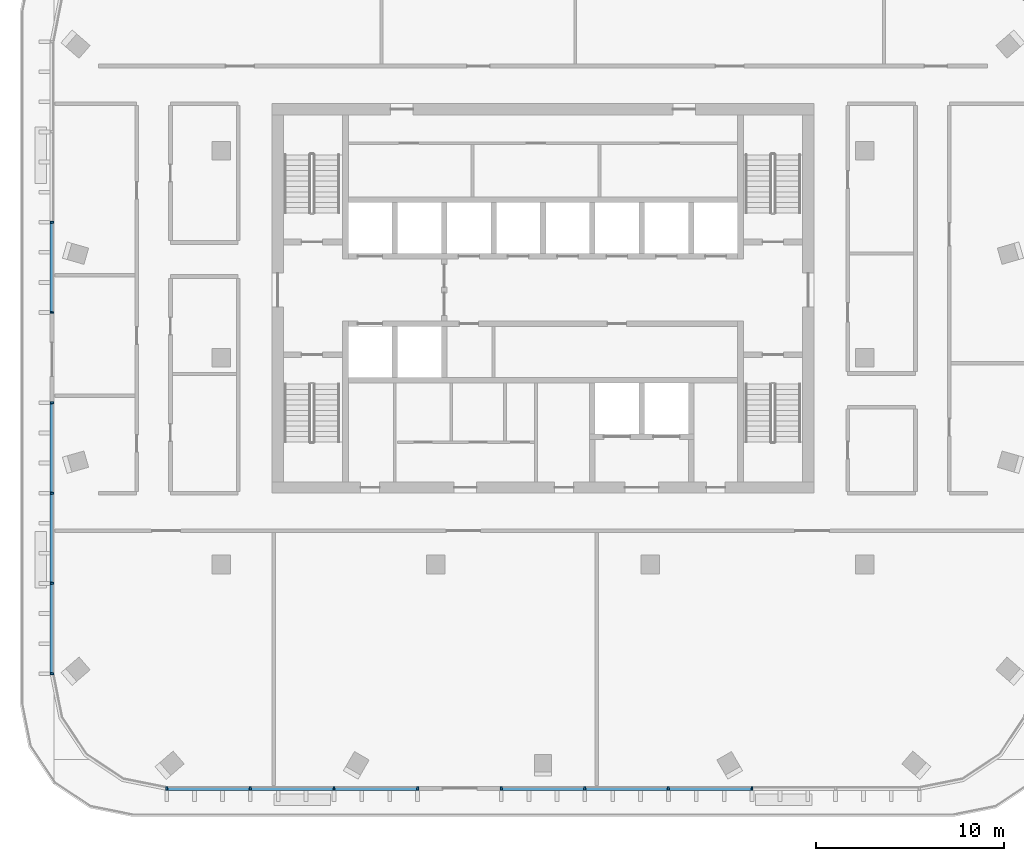
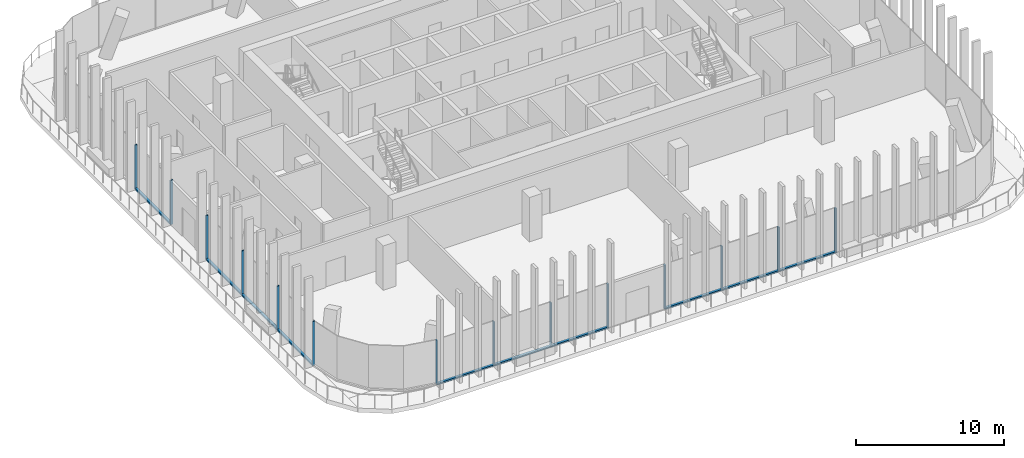
# One storey, part 2 of 15: 24 members, 4 elements without a shape of their own.
"""IFC4 building model written with IfcOpenShell, lengths in metres."""

from ifc_helpers import new_model, si_unit, direction, frame, origin, origin_2d, place, context, subcontext, project, spatial, rectangle, extrude, material, material_profile, profile_set, type_object, element, aggregate, save


model = new_model("IFC4")

# Units and contexts
model_context = context("Model", 3, precision=1e-05, world=origin(), true_north=direction((0.0, 1.0)))
body_context = subcontext(model_context, "Body", "Model", "MODEL_VIEW")
ifc_project = project(units=[si_unit("LENGTHUNIT", "METRE"), si_unit("AREAUNIT", "SQUARE_METRE"), si_unit("VOLUMEUNIT", "CUBIC_METRE"), si_unit("PLANEANGLEUNIT", "RADIAN"), si_unit("MASSUNIT", "GRAM", prefix="KILO")], contexts=[model_context])

# Site, building, storey
site_placement = place(None, origin())
site = spatial("IfcSite", under=ifc_project, at=site_placement, CompositionType="ELEMENT")
building_placement = place(site_placement, origin())
building = spatial("IfcBuilding", under=site, at=building_placement, Name="Mopane Tessera Tower", CompositionType="ELEMENT")
storey_placement = place(building_placement, frame((0.0, 0.0, 329.39990234375)))
storey = spatial("IfcBuildingStorey", under=building, at=storey_placement, Name="L72", CompositionType="ELEMENT", Elevation=329.39990234375)

# Curtain wall, members
ifc_material_1 = material(Name="Aluminium frame", Category="aluminium")
curtain_wall_type = type_object("IfcCurtainWallType", Name="Unitised curtain wall", PredefinedType="NOTDEFINED", material=ifc_material_1)
curtain_wall_1_placement = place(storey_placement, origin())
curtain_wall_1 = element("IfcCurtainWall", 1, at=curtain_wall_1_placement, inside=storey, type_object=curtain_wall_type, Name="e:cw:L72:S:0", PredefinedType="NOTDEFINED")
ifc_material_2 = material(Name="Aluminium frame", Category="aluminium")
ifc_material_profile_1 = material_profile(ifc_material_2, rectangle(XDim=0.10009765625, YDim=0.199951171875, at=origin_2d()))
ifc_profile_set_1 = profile_set([ifc_material_profile_1], Name="Aluminium frame")
member_type_1 = type_object("IfcMemberType", Name="Aluminium mullion 100 x 200", PredefinedType="MULLION", material=ifc_profile_set_1)
member_1_placement = place(storey_placement, frame((-20.0, -22.89990234375, 0.0), z_axis=(0.0, 0.0, 1.0), x_axis=(1.0, 0.0, 0.0)))
member_1 = element("IfcMember", 2, at=member_1_placement, type_object=member_type_1, Name="e:cw:L72:S:0:mu0", PredefinedType="MULLION", context=body_context, shape_type="SweptSolid", body=[
    extrude(rectangle(XDim=0.10009765625, YDim=0.199951171875, at=origin_2d()), origin(), (0.0, 0.0, 1.0), 3.650146484375),
])
member_2_placement = place(storey_placement, frame((-15.5556640625, -22.89990234375, 0.0), z_axis=(0.0, 0.0, 1.0), x_axis=(1.0, 0.0, 0.0)))
member_2 = element("IfcMember", 3, at=member_2_placement, type_object=member_type_1, Name="e:cw:L72:S:0:mu1", PredefinedType="MULLION", context=body_context, shape_type="SweptSolid", body=[
    extrude(rectangle(XDim=0.10009765625, YDim=0.199951171875, at=origin_2d()), origin(), (0.0, 0.0, 1.0), 3.650146484375),
])
member_3_placement = place(storey_placement, frame((-11.111083984375, -22.89990234375, 0.0), z_axis=(0.0, 0.0, 1.0), x_axis=(1.0, 0.0, 0.0)))
member_3 = element("IfcMember", 4, at=member_3_placement, type_object=member_type_1, Name="e:cw:L72:S:0:mu2", PredefinedType="MULLION", context=body_context, shape_type="SweptSolid", body=[
    extrude(rectangle(XDim=0.10009765625, YDim=0.199951171875, at=origin_2d()), origin(), (0.0, 0.0, 1.0), 3.650146484375),
])
member_4_placement = place(storey_placement, frame((-6.666748046875, -22.89990234375, 0.0), z_axis=(0.0, 0.0, 1.0), x_axis=(1.0, 0.0, 0.0)))
member_4 = element("IfcMember", 5, at=member_4_placement, type_object=member_type_1, Name="e:cw:L72:S:0:mu3", PredefinedType="MULLION", context=body_context, shape_type="SweptSolid", body=[
    extrude(rectangle(XDim=0.10009765625, YDim=0.199951171875, at=origin_2d()), origin(), (0.0, 0.0, 1.0), 3.650146484375),
])

curtain_wall_2_placement = place(storey_placement, origin())
curtain_wall_2 = element("IfcCurtainWall", 6, at=curtain_wall_2_placement, inside=storey, type_object=curtain_wall_type, Name="e:cw:L72:S:4", PredefinedType="NOTDEFINED")
member_5_placement = place(storey_placement, frame((-2.22216796875, -22.89990234375, 0.0), z_axis=(0.0, 0.0, 1.0), x_axis=(1.0, 0.0, 0.0)))
member_5 = element("IfcMember", 7, at=member_5_placement, type_object=member_type_1, Name="e:cw:L72:S:4:mu4", PredefinedType="MULLION", context=body_context, shape_type="SweptSolid", body=[
    extrude(rectangle(XDim=0.10009765625, YDim=0.199951171875, at=origin_2d()), origin(), (0.0, 0.0, 1.0), 3.650146484375),
])
member_6_placement = place(storey_placement, frame((2.22216796875, -22.89990234375, 0.0), z_axis=(0.0, 0.0, 1.0), x_axis=(1.0, 0.0, 0.0)))
member_6 = element("IfcMember", 8, at=member_6_placement, type_object=member_type_1, Name="e:cw:L72:S:4:mu5", PredefinedType="MULLION", context=body_context, shape_type="SweptSolid", body=[
    extrude(rectangle(XDim=0.10009765625, YDim=0.199951171875, at=origin_2d()), origin(), (0.0, 0.0, 1.0), 3.650146484375),
])
member_7_placement = place(storey_placement, frame((6.666748046875, -22.89990234375, 0.0), z_axis=(0.0, 0.0, 1.0), x_axis=(1.0, 0.0, 0.0)))
member_7 = element("IfcMember", 9, at=member_7_placement, type_object=member_type_1, Name="e:cw:L72:S:4:mu6", PredefinedType="MULLION", context=body_context, shape_type="SweptSolid", body=[
    extrude(rectangle(XDim=0.10009765625, YDim=0.199951171875, at=origin_2d()), origin(), (0.0, 0.0, 1.0), 3.650146484375),
])
member_8_placement = place(storey_placement, frame((11.111083984375, -22.89990234375, 0.0), z_axis=(0.0, 0.0, 1.0), x_axis=(1.0, 0.0, 0.0)))
member_8 = element("IfcMember", 10, at=member_8_placement, type_object=member_type_1, Name="e:cw:L72:S:4:mu7", PredefinedType="MULLION", context=body_context, shape_type="SweptSolid", body=[
    extrude(rectangle(XDim=0.10009765625, YDim=0.199951171875, at=origin_2d()), origin(), (0.0, 0.0, 1.0), 3.650146484375),
])

curtain_wall_3_placement = place(storey_placement, origin())
curtain_wall_3 = element("IfcCurtainWall", 11, at=curtain_wall_3_placement, inside=storey, type_object=curtain_wall_type, Name="e:cw:L72:W:0", PredefinedType="NOTDEFINED")
member_9_placement = place(storey_placement, frame((-26.10009765625, 7.199951171875, 0.0), z_axis=(0.0, 0.0, 1.0), x_axis=(0.0, -1.0, 0.0)))
member_9 = element("IfcMember", 12, at=member_9_placement, type_object=member_type_1, Name="e:cw:L72:W:0:mu2", PredefinedType="MULLION", context=body_context, shape_type="SweptSolid", body=[
    extrude(rectangle(XDim=0.10009765625, YDim=0.199951171875, at=origin_2d()), origin(), (0.0, 0.0, 1.0), 3.650146484375),
])
member_10_placement = place(storey_placement, frame((-26.10009765625, 2.39990234375, 0.0), z_axis=(0.0, 0.0, 1.0), x_axis=(0.0, -1.0, 0.0)))
member_10 = element("IfcMember", 13, at=member_10_placement, type_object=member_type_1, Name="e:cw:L72:W:0:mu3", PredefinedType="MULLION", context=body_context, shape_type="SweptSolid", body=[
    extrude(rectangle(XDim=0.10009765625, YDim=0.199951171875, at=origin_2d()), origin(), (0.0, 0.0, 1.0), 3.650146484375),
])

curtain_wall_4_placement = place(storey_placement, origin())
curtain_wall_4 = element("IfcCurtainWall", 14, at=curtain_wall_4_placement, inside=storey, type_object=curtain_wall_type, Name="e:cw:L72:W:4", PredefinedType="NOTDEFINED")
member_11_placement = place(storey_placement, frame((-26.10009765625, -2.39990234375, 0.0), z_axis=(0.0, 0.0, 1.0), x_axis=(0.0, -1.0, 0.0)))
member_11 = element("IfcMember", 15, at=member_11_placement, type_object=member_type_1, Name="e:cw:L72:W:4:mu4", PredefinedType="MULLION", context=body_context, shape_type="SweptSolid", body=[
    extrude(rectangle(XDim=0.10009765625, YDim=0.199951171875, at=origin_2d()), origin(), (0.0, 0.0, 1.0), 3.650146484375),
])
member_12_placement = place(storey_placement, frame((-26.10009765625, -7.199951171875, 0.0), z_axis=(0.0, 0.0, 1.0), x_axis=(0.0, -1.0, 0.0)))
member_12 = element("IfcMember", 16, at=member_12_placement, type_object=member_type_1, Name="e:cw:L72:W:4:mu5", PredefinedType="MULLION", context=body_context, shape_type="SweptSolid", body=[
    extrude(rectangle(XDim=0.10009765625, YDim=0.199951171875, at=origin_2d()), origin(), (0.0, 0.0, 1.0), 3.650146484375),
])
member_13_placement = place(storey_placement, frame((-26.10009765625, -12.0, 0.0), z_axis=(0.0, 0.0, 1.0), x_axis=(0.0, -1.0, 0.0)))
member_13 = element("IfcMember", 17, at=member_13_placement, type_object=member_type_1, Name="e:cw:L72:W:4:mu6", PredefinedType="MULLION", context=body_context, shape_type="SweptSolid", body=[
    extrude(rectangle(XDim=0.10009765625, YDim=0.199951171875, at=origin_2d()), origin(), (0.0, 0.0, 1.0), 3.650146484375),
])
member_14_placement = place(storey_placement, frame((-26.10009765625, -16.800048828125, 0.0), z_axis=(0.0, 0.0, 1.0), x_axis=(0.0, -1.0, 0.0)))
member_14 = element("IfcMember", 18, at=member_14_placement, type_object=member_type_1, Name="e:cw:L72:W:4:mu7", PredefinedType="MULLION", context=body_context, shape_type="SweptSolid", body=[
    extrude(rectangle(XDim=0.10009765625, YDim=0.199951171875, at=origin_2d()), origin(), (0.0, 0.0, 1.0), 3.650146484375),
])

# Member
ifc_material_3 = material(Name="Aluminium frame", Category="aluminium")
ifc_material_profile_2 = material_profile(ifc_material_3, rectangle(XDim=0.199951171875, YDim=0.1201171875, at=origin_2d()))
ifc_profile_set_2 = profile_set([ifc_material_profile_2], Name="Aluminium frame")
member_type_2 = type_object("IfcMemberType", Name="Aluminium transom 200 x 120", PredefinedType="USERDEFINED", material=ifc_profile_set_2)
member_15_placement = place(storey_placement, frame((-19.949951171875, -22.89990234375, 0.06005859375), z_axis=(1.0, 0.0, 0.0), x_axis=(0.0, 1.0, 0.0)))
member_15 = element("IfcMember", 19, at=member_15_placement, type_object=member_type_2, Name="e:cw:L72:S:0:tr0", ObjectType="TRANSOM", PredefinedType="USERDEFINED", context=body_context, shape_type="SweptSolid", body=[
    extrude(rectangle(XDim=0.199951171875, YDim=0.1201171875, at=origin_2d()), origin(), (0.0, 0.0, 1.0), 4.344482421875),
])

member_16_placement = place(storey_placement, frame((-15.505615234375, -22.89990234375, 0.06005859375), z_axis=(1.0, 0.0, 0.0), x_axis=(0.0, 1.0, 0.0)))
member_16 = element("IfcMember", 20, at=member_16_placement, type_object=member_type_2, Name="e:cw:L72:S:0:tr1", ObjectType="TRANSOM", PredefinedType="USERDEFINED", context=body_context, shape_type="SweptSolid", body=[
    extrude(rectangle(XDim=0.199951171875, YDim=0.1201171875, at=origin_2d()), origin(), (0.0, 0.0, 1.0), 4.344482421875),
])

member_17_placement = place(storey_placement, frame((-11.06103515625, -22.89990234375, 0.06005859375), z_axis=(1.0, 0.0, 0.0), x_axis=(0.0, 1.0, 0.0)))
member_17 = element("IfcMember", 21, at=member_17_placement, type_object=member_type_2, Name="e:cw:L72:S:0:tr2", ObjectType="TRANSOM", PredefinedType="USERDEFINED", context=body_context, shape_type="SweptSolid", body=[
    extrude(rectangle(XDim=0.199951171875, YDim=0.1201171875, at=origin_2d()), origin(), (0.0, 0.0, 1.0), 4.344482421875),
])

aggregate(curtain_wall_1, [member_1, member_2, member_3, member_4, member_15, member_16, member_17])

member_18_placement = place(storey_placement, frame((-2.172119140625, -22.89990234375, 0.06005859375), z_axis=(1.0, 0.0, 0.0), x_axis=(0.0, 1.0, 0.0)))
member_18 = element("IfcMember", 22, at=member_18_placement, type_object=member_type_2, Name="e:cw:L72:S:4:tr4", ObjectType="TRANSOM", PredefinedType="USERDEFINED", context=body_context, shape_type="SweptSolid", body=[
    extrude(rectangle(XDim=0.199951171875, YDim=0.1201171875, at=origin_2d()), origin(), (0.0, 0.0, 1.0), 4.34423828125),
])

member_19_placement = place(storey_placement, frame((2.272216796875, -22.89990234375, 0.06005859375), z_axis=(1.0, 0.0, 0.0), x_axis=(0.0, 1.0, 0.0)))
member_19 = element("IfcMember", 23, at=member_19_placement, type_object=member_type_2, Name="e:cw:L72:S:4:tr5", ObjectType="TRANSOM", PredefinedType="USERDEFINED", context=body_context, shape_type="SweptSolid", body=[
    extrude(rectangle(XDim=0.199951171875, YDim=0.1201171875, at=origin_2d()), origin(), (0.0, 0.0, 1.0), 4.344482421875),
])

member_20_placement = place(storey_placement, frame((6.716552734375, -22.89990234375, 0.06005859375), z_axis=(1.0, 0.0, 0.0), x_axis=(0.0, 1.0, 0.0)))
member_20 = element("IfcMember", 24, at=member_20_placement, type_object=member_type_2, Name="e:cw:L72:S:4:tr6", ObjectType="TRANSOM", PredefinedType="USERDEFINED", context=body_context, shape_type="SweptSolid", body=[
    extrude(rectangle(XDim=0.199951171875, YDim=0.1201171875, at=origin_2d()), origin(), (0.0, 0.0, 1.0), 4.344482421875),
])

aggregate(curtain_wall_2, [member_5, member_6, member_7, member_8, member_18, member_19, member_20])

member_21_placement = place(storey_placement, frame((-26.10009765625, 7.14990234375, 0.06005859375), z_axis=(0.0, -1.0, 0.0), x_axis=(1.0, 0.0, 0.0)))
member_21 = element("IfcMember", 25, at=member_21_placement, type_object=member_type_2, Name="e:cw:L72:W:0:tr2", ObjectType="TRANSOM", PredefinedType="USERDEFINED", context=body_context, shape_type="SweptSolid", body=[
    extrude(rectangle(XDim=0.199951171875, YDim=0.1201171875, at=origin_2d()), origin(), (0.0, 0.0, 1.0), 4.699951171875),
])

aggregate(curtain_wall_3, [member_9, member_10, member_21])

member_22_placement = place(storey_placement, frame((-26.10009765625, -2.449951171875, 0.06005859375), z_axis=(0.0, -1.0, 0.0), x_axis=(1.0, 0.0, 0.0)))
member_22 = element("IfcMember", 26, at=member_22_placement, type_object=member_type_2, Name="e:cw:L72:W:4:tr4", ObjectType="TRANSOM", PredefinedType="USERDEFINED", context=body_context, shape_type="SweptSolid", body=[
    extrude(rectangle(XDim=0.199951171875, YDim=0.1201171875, at=origin_2d()), origin(), (0.0, 0.0, 1.0), 4.699951171875),
])

member_23_placement = place(storey_placement, frame((-26.10009765625, -7.25, 0.06005859375), z_axis=(0.0, -1.0, 0.0), x_axis=(1.0, 0.0, 0.0)))
member_23 = element("IfcMember", 27, at=member_23_placement, type_object=member_type_2, Name="e:cw:L72:W:4:tr5", ObjectType="TRANSOM", PredefinedType="USERDEFINED", context=body_context, shape_type="SweptSolid", body=[
    extrude(rectangle(XDim=0.199951171875, YDim=0.1201171875, at=origin_2d()), origin(), (0.0, 0.0, 1.0), 4.699951171875),
])

member_24_placement = place(storey_placement, frame((-26.10009765625, -12.050048828125, 0.06005859375), z_axis=(0.0, -1.0, 0.0), x_axis=(1.0, 0.0, 0.0)))
member_24 = element("IfcMember", 28, at=member_24_placement, type_object=member_type_2, Name="e:cw:L72:W:4:tr6", ObjectType="TRANSOM", PredefinedType="USERDEFINED", context=body_context, shape_type="SweptSolid", body=[
    extrude(rectangle(XDim=0.199951171875, YDim=0.1201171875, at=origin_2d()), origin(), (0.0, 0.0, 1.0), 4.699951171875),
])

aggregate(curtain_wall_4, [member_11, member_12, member_13, member_14, member_22, member_23, member_24])

save(model, "model.ifc")
